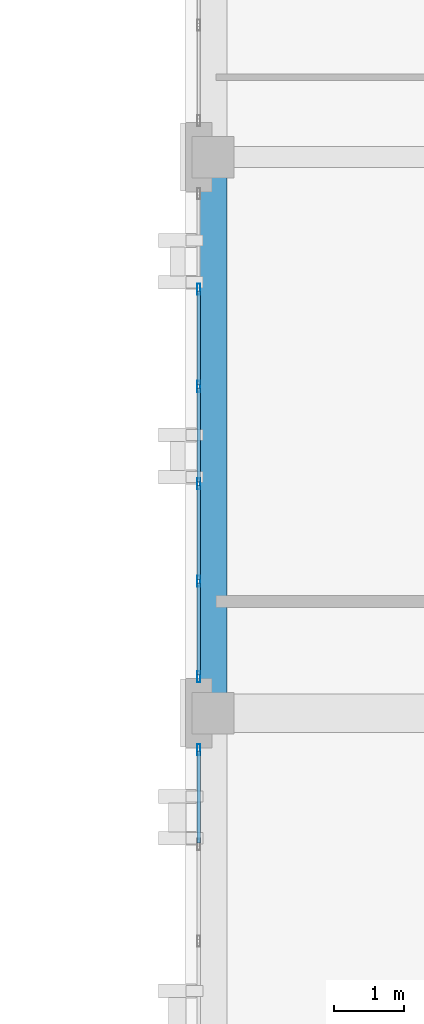
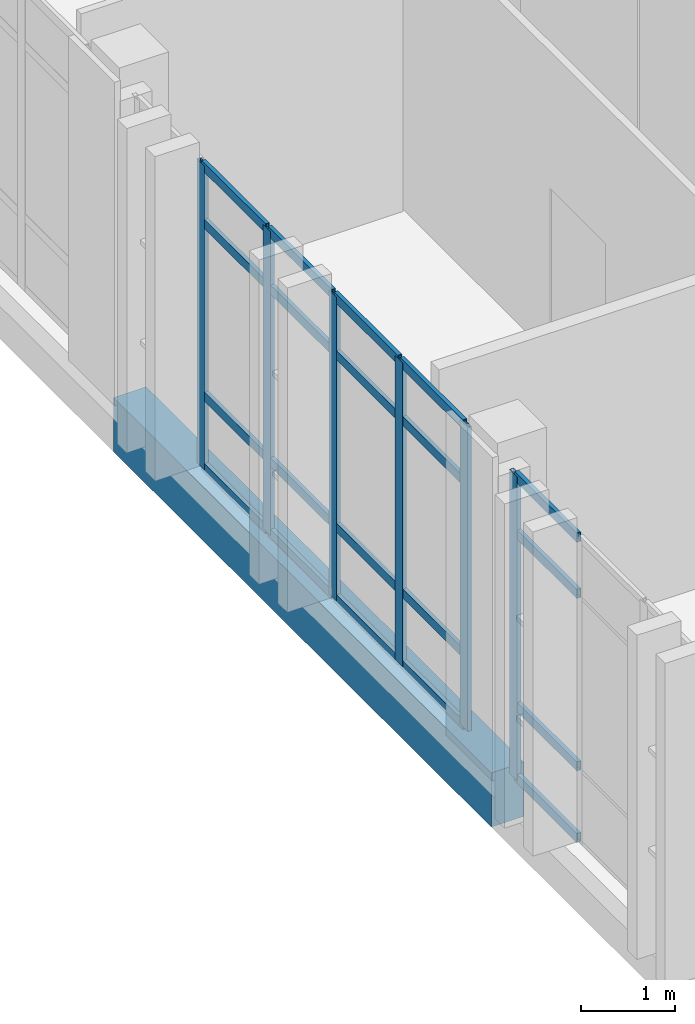
# One storey, part 19 of 90: 26 members, 1 beam, 2 elements without a shape of their own.
"""IFC4 building model written with IfcOpenShell, lengths in metres."""

from ifc_helpers import new_model, si_unit, direction, frame, origin, origin_2d, place, context, subcontext, project, spatial, rectangle, hollow_rectangle, extrude, material, layer, layer_set, material_profile, profile_set, type_object, element, aggregate, save


model = new_model("IFC4")

# Units and contexts
model_context = context("Model", 3, precision=1e-05, world=origin(), true_north=direction((0.0, 1.0)))
body_context = subcontext(model_context, "Body", "Model", "MODEL_VIEW")
ifc_project = project(units=[si_unit("LENGTHUNIT", "METRE"), si_unit("AREAUNIT", "SQUARE_METRE"), si_unit("VOLUMEUNIT", "CUBIC_METRE"), si_unit("PLANEANGLEUNIT", "RADIAN"), si_unit("MASSUNIT", "GRAM", prefix="KILO")], contexts=[model_context])

# Site, building, storey
site_placement = place(None, origin())
site = spatial("IfcSite", under=ifc_project, at=site_placement, CompositionType="ELEMENT")
building_placement = place(site_placement, origin())
building = spatial("IfcBuilding", under=site, at=building_placement, Name="Qalavern Law Courts", CompositionType="ELEMENT")
storey_placement = place(building_placement, frame((0.0, 0.0, 22.800048828125)))
storey = spatial("IfcBuildingStorey", under=building, at=storey_placement, Name="L05", CompositionType="ELEMENT", Elevation=22.800048828125)

# Curtain wall, members
ifc_material_1 = material(Name="Anodised aluminium and insulated glazing", Category="aluminium")
ifc_layer = layer(ifc_material_1, 0.159912109375)
ifc_layer_set = layer_set([ifc_layer], Name="Anodised aluminium and insulated glazing")
curtain_wall_type = type_object("IfcCurtainWallType", Name="ENV-CW-CHAMB", PredefinedType="USERDEFINED", material=ifc_layer_set)
curtain_wall_1_placement = place(storey_placement, origin())
curtain_wall_1 = element("IfcCurtainWall", 1, at=curtain_wall_1_placement, inside=storey, type_object=curtain_wall_type, Name="V4 unitised curtain wall L05 west 5", ObjectType="UNITISED CURTAIN WALL", PredefinedType="USERDEFINED")
ifc_material_2 = material(Name="Anodised aluminium", Category="aluminium")
ifc_material_profile_1 = material_profile(ifc_material_2, hollow_rectangle(XDim=0.048095703125, YDim=0.159912109375, WallThickness=0.00390625, at=origin_2d()), Name="ALU MULLION 48x160")
ifc_profile_set_1 = profile_set([ifc_material_profile_1], Name="Anodised aluminium")
member_type_1 = type_object("IfcMemberType", Name="ENV-CWM-48x160", PredefinedType="MULLION", material=ifc_profile_set_1)
member_1_placement = place(storey_placement, frame((84.392578125, 55.5, 0.0), z_axis=(0.0, 0.0, 1.0), x_axis=(1.0, 0.0, 0.0)))
member_1 = element("IfcMember", 2, at=member_1_placement, type_object=member_type_1, Name="CW-04 mullion 2", PredefinedType="MULLION", context=body_context, shape_type="SweptSolid", body=[
    extrude(hollow_rectangle(XDim=0.048095703125, YDim=0.159912109375, WallThickness=0.00390625, at=origin_2d()), origin(), (0.0, 0.0, 1.0), 3.929931640625),
])
member_2_placement = place(storey_placement, frame((84.392578125, 54.10009765625, 0.0), z_axis=(0.0, 0.0, 1.0), x_axis=(1.0, 0.0, 0.0)))
member_2 = element("IfcMember", 3, at=member_2_placement, type_object=member_type_1, Name="CW-04 mullion 3", PredefinedType="MULLION", context=body_context, shape_type="SweptSolid", body=[
    extrude(hollow_rectangle(XDim=0.048095703125, YDim=0.159912109375, WallThickness=0.00390625, at=origin_2d()), origin(), (0.0, 0.0, 1.0), 3.929931640625),
])
member_3_placement = place(storey_placement, frame((84.392578125, 52.699951171875, 0.0), z_axis=(0.0, 0.0, 1.0), x_axis=(1.0, 0.0, 0.0)))
member_3 = element("IfcMember", 4, at=member_3_placement, type_object=member_type_1, Name="CW-04 mullion 4", PredefinedType="MULLION", context=body_context, shape_type="SweptSolid", body=[
    extrude(hollow_rectangle(XDim=0.048095703125, YDim=0.159912109375, WallThickness=0.00390625, at=origin_2d()), origin(), (0.0, 0.0, 1.0), 3.929931640625),
])
member_4_placement = place(storey_placement, frame((84.392578125, 51.300048828125, 0.0), z_axis=(0.0, 0.0, 1.0), x_axis=(1.0, 0.0, 0.0)))
member_4 = element("IfcMember", 5, at=member_4_placement, type_object=member_type_1, Name="CW-04 mullion 5", PredefinedType="MULLION", context=body_context, shape_type="SweptSolid", body=[
    extrude(hollow_rectangle(XDim=0.048095703125, YDim=0.159912109375, WallThickness=0.00390625, at=origin_2d()), origin(), (0.0, 0.0, 1.0), 3.929931640625),
])
member_5_placement = place(storey_placement, frame((84.392578125, 49.924072265625, 0.0), z_axis=(0.0, 0.0, 1.0), x_axis=(1.0, 0.0, 0.0)))
member_5 = element("IfcMember", 6, at=member_5_placement, type_object=member_type_1, Name="CW-04 mullion 6", PredefinedType="MULLION", context=body_context, shape_type="SweptSolid", body=[
    extrude(hollow_rectangle(XDim=0.048095703125, YDim=0.159912109375, WallThickness=0.00390625, at=origin_2d()), origin(), (0.0, 0.0, 1.0), 3.929931640625),
])

# Curtain wall, member
curtain_wall_2_placement = place(storey_placement, origin())
curtain_wall_2 = element("IfcCurtainWall", 7, at=curtain_wall_2_placement, inside=storey, type_object=curtain_wall_type, Name="V4 unitised curtain wall L05 west 6", ObjectType="UNITISED CURTAIN WALL", PredefinedType="USERDEFINED")
member_6_placement = place(storey_placement, frame((84.392578125, 48.8759765625, 0.0), z_axis=(0.0, 0.0, 1.0), x_axis=(1.0, 0.0, 0.0)))
member_6 = element("IfcMember", 8, at=member_6_placement, type_object=member_type_1, Name="CW-04 mullion 1", PredefinedType="MULLION", context=body_context, shape_type="SweptSolid", body=[
    extrude(hollow_rectangle(XDim=0.048095703125, YDim=0.159912109375, WallThickness=0.00390625, at=origin_2d()), origin(), (0.0, 0.0, 1.0), 3.929931640625),
])

# Member
ifc_material_profile_2 = material_profile(ifc_material_2, hollow_rectangle(XDim=0.048095703125, YDim=0.1201171875, WallThickness=0.00390625, at=origin_2d()), Name="ALU TRANSOM 48x120")
ifc_profile_set_2 = profile_set([ifc_material_profile_2], Name="Anodised aluminium")
member_type_2 = type_object("IfcMemberType", Name="ENV-CWT-48x120", PredefinedType="USERDEFINED", material=ifc_profile_set_2)
member_7_placement = place(storey_placement, frame((84.392578125, 55.47607421875, 0.02392578125), z_axis=(0.0, -1.0, 0.0), x_axis=(1.0, 0.0, 0.0)))
member_7 = element("IfcMember", 9, at=member_7_placement, type_object=member_type_2, Name="CW-04 transom 2.1", ObjectType="TRANSOM", PredefinedType="USERDEFINED", context=body_context, shape_type="SweptSolid", body=[
    extrude(hollow_rectangle(XDim=0.048095703125, YDim=0.1201171875, WallThickness=0.00390625, at=origin_2d()), origin(), (0.0, 0.0, 1.0), 1.35205078125),
])

member_8_placement = place(storey_placement, frame((84.392578125, 55.47607421875, 0.949951171875), z_axis=(0.0, -1.0, 0.0), x_axis=(1.0, 0.0, 0.0)))
member_8 = element("IfcMember", 10, at=member_8_placement, type_object=member_type_2, Name="CW-04 transom 2.2", ObjectType="TRANSOM", PredefinedType="USERDEFINED", context=body_context, shape_type="SweptSolid", body=[
    extrude(hollow_rectangle(XDim=0.048095703125, YDim=0.1201171875, WallThickness=0.00390625, at=origin_2d()), origin(), (0.0, 0.0, 1.0), 1.35205078125),
])

member_9_placement = place(storey_placement, frame((84.392578125, 55.47607421875, 3.179931640625), z_axis=(0.0, -1.0, 0.0), x_axis=(1.0, 0.0, 0.0)))
member_9 = element("IfcMember", 11, at=member_9_placement, type_object=member_type_2, Name="CW-04 transom 2.3", ObjectType="TRANSOM", PredefinedType="USERDEFINED", context=body_context, shape_type="SweptSolid", body=[
    extrude(hollow_rectangle(XDim=0.048095703125, YDim=0.1201171875, WallThickness=0.00390625, at=origin_2d()), origin(), (0.0, 0.0, 1.0), 1.35205078125),
])

member_10_placement = place(storey_placement, frame((84.392578125, 55.47607421875, 3.906005859375), z_axis=(0.0, -1.0, 0.0), x_axis=(1.0, 0.0, 0.0)))
member_10 = element("IfcMember", 12, at=member_10_placement, type_object=member_type_2, Name="CW-04 transom 2.4", ObjectType="TRANSOM", PredefinedType="USERDEFINED", context=body_context, shape_type="SweptSolid", body=[
    extrude(hollow_rectangle(XDim=0.048095703125, YDim=0.1201171875, WallThickness=0.00390625, at=origin_2d()), origin(), (0.0, 0.0, 1.0), 1.35205078125),
])

member_11_placement = place(storey_placement, frame((84.392578125, 54.075927734375, 0.02392578125), z_axis=(0.0, -1.0, 0.0), x_axis=(1.0, 0.0, 0.0)))
member_11 = element("IfcMember", 13, at=member_11_placement, type_object=member_type_2, Name="CW-04 transom 3.1", ObjectType="TRANSOM", PredefinedType="USERDEFINED", context=body_context, shape_type="SweptSolid", body=[
    extrude(hollow_rectangle(XDim=0.048095703125, YDim=0.1201171875, WallThickness=0.00390625, at=origin_2d()), origin(), (0.0, 0.0, 1.0), 1.351806640625),
])

member_12_placement = place(storey_placement, frame((84.392578125, 54.075927734375, 0.949951171875), z_axis=(0.0, -1.0, 0.0), x_axis=(1.0, 0.0, 0.0)))
member_12 = element("IfcMember", 14, at=member_12_placement, type_object=member_type_2, Name="CW-04 transom 3.2", ObjectType="TRANSOM", PredefinedType="USERDEFINED", context=body_context, shape_type="SweptSolid", body=[
    extrude(hollow_rectangle(XDim=0.048095703125, YDim=0.1201171875, WallThickness=0.00390625, at=origin_2d()), origin(), (0.0, 0.0, 1.0), 1.351806640625),
])

member_13_placement = place(storey_placement, frame((84.392578125, 54.075927734375, 3.179931640625), z_axis=(0.0, -1.0, 0.0), x_axis=(1.0, 0.0, 0.0)))
member_13 = element("IfcMember", 15, at=member_13_placement, type_object=member_type_2, Name="CW-04 transom 3.3", ObjectType="TRANSOM", PredefinedType="USERDEFINED", context=body_context, shape_type="SweptSolid", body=[
    extrude(hollow_rectangle(XDim=0.048095703125, YDim=0.1201171875, WallThickness=0.00390625, at=origin_2d()), origin(), (0.0, 0.0, 1.0), 1.351806640625),
])

member_14_placement = place(storey_placement, frame((84.392578125, 54.075927734375, 3.906005859375), z_axis=(0.0, -1.0, 0.0), x_axis=(1.0, 0.0, 0.0)))
member_14 = element("IfcMember", 16, at=member_14_placement, type_object=member_type_2, Name="CW-04 transom 3.4", ObjectType="TRANSOM", PredefinedType="USERDEFINED", context=body_context, shape_type="SweptSolid", body=[
    extrude(hollow_rectangle(XDim=0.048095703125, YDim=0.1201171875, WallThickness=0.00390625, at=origin_2d()), origin(), (0.0, 0.0, 1.0), 1.351806640625),
])

member_15_placement = place(storey_placement, frame((84.392578125, 52.676025390625, 0.02392578125), z_axis=(0.0, -1.0, 0.0), x_axis=(1.0, 0.0, 0.0)))
member_15 = element("IfcMember", 17, at=member_15_placement, type_object=member_type_2, Name="CW-04 transom 4.1", ObjectType="TRANSOM", PredefinedType="USERDEFINED", context=body_context, shape_type="SweptSolid", body=[
    extrude(hollow_rectangle(XDim=0.048095703125, YDim=0.1201171875, WallThickness=0.00390625, at=origin_2d()), origin(), (0.0, 0.0, 1.0), 1.35205078125),
])

member_16_placement = place(storey_placement, frame((84.392578125, 52.676025390625, 0.949951171875), z_axis=(0.0, -1.0, 0.0), x_axis=(1.0, 0.0, 0.0)))
member_16 = element("IfcMember", 18, at=member_16_placement, type_object=member_type_2, Name="CW-04 transom 4.2", ObjectType="TRANSOM", PredefinedType="USERDEFINED", context=body_context, shape_type="SweptSolid", body=[
    extrude(hollow_rectangle(XDim=0.048095703125, YDim=0.1201171875, WallThickness=0.00390625, at=origin_2d()), origin(), (0.0, 0.0, 1.0), 1.35205078125),
])

member_17_placement = place(storey_placement, frame((84.392578125, 52.676025390625, 3.179931640625), z_axis=(0.0, -1.0, 0.0), x_axis=(1.0, 0.0, 0.0)))
member_17 = element("IfcMember", 19, at=member_17_placement, type_object=member_type_2, Name="CW-04 transom 4.3", ObjectType="TRANSOM", PredefinedType="USERDEFINED", context=body_context, shape_type="SweptSolid", body=[
    extrude(hollow_rectangle(XDim=0.048095703125, YDim=0.1201171875, WallThickness=0.00390625, at=origin_2d()), origin(), (0.0, 0.0, 1.0), 1.35205078125),
])

member_18_placement = place(storey_placement, frame((84.392578125, 52.676025390625, 3.906005859375), z_axis=(0.0, -1.0, 0.0), x_axis=(1.0, 0.0, 0.0)))
member_18 = element("IfcMember", 20, at=member_18_placement, type_object=member_type_2, Name="CW-04 transom 4.4", ObjectType="TRANSOM", PredefinedType="USERDEFINED", context=body_context, shape_type="SweptSolid", body=[
    extrude(hollow_rectangle(XDim=0.048095703125, YDim=0.1201171875, WallThickness=0.00390625, at=origin_2d()), origin(), (0.0, 0.0, 1.0), 1.35205078125),
])

member_19_placement = place(storey_placement, frame((84.392578125, 51.27587890625, 0.02392578125), z_axis=(0.0, -1.0, 0.0), x_axis=(1.0, 0.0, 0.0)))
member_19 = element("IfcMember", 21, at=member_19_placement, type_object=member_type_2, Name="CW-04 transom 5.1", ObjectType="TRANSOM", PredefinedType="USERDEFINED", context=body_context, shape_type="SweptSolid", body=[
    extrude(hollow_rectangle(XDim=0.048095703125, YDim=0.1201171875, WallThickness=0.00390625, at=origin_2d()), origin(), (0.0, 0.0, 1.0), 1.327880859375),
])

member_20_placement = place(storey_placement, frame((84.392578125, 51.27587890625, 0.949951171875), z_axis=(0.0, -1.0, 0.0), x_axis=(1.0, 0.0, 0.0)))
member_20 = element("IfcMember", 22, at=member_20_placement, type_object=member_type_2, Name="CW-04 transom 5.2", ObjectType="TRANSOM", PredefinedType="USERDEFINED", context=body_context, shape_type="SweptSolid", body=[
    extrude(hollow_rectangle(XDim=0.048095703125, YDim=0.1201171875, WallThickness=0.00390625, at=origin_2d()), origin(), (0.0, 0.0, 1.0), 1.327880859375),
])

member_21_placement = place(storey_placement, frame((84.392578125, 51.27587890625, 3.179931640625), z_axis=(0.0, -1.0, 0.0), x_axis=(1.0, 0.0, 0.0)))
member_21 = element("IfcMember", 23, at=member_21_placement, type_object=member_type_2, Name="CW-04 transom 5.3", ObjectType="TRANSOM", PredefinedType="USERDEFINED", context=body_context, shape_type="SweptSolid", body=[
    extrude(hollow_rectangle(XDim=0.048095703125, YDim=0.1201171875, WallThickness=0.00390625, at=origin_2d()), origin(), (0.0, 0.0, 1.0), 1.327880859375),
])

member_22_placement = place(storey_placement, frame((84.392578125, 51.27587890625, 3.906005859375), z_axis=(0.0, -1.0, 0.0), x_axis=(1.0, 0.0, 0.0)))
member_22 = element("IfcMember", 24, at=member_22_placement, type_object=member_type_2, Name="CW-04 transom 5.4", ObjectType="TRANSOM", PredefinedType="USERDEFINED", context=body_context, shape_type="SweptSolid", body=[
    extrude(hollow_rectangle(XDim=0.048095703125, YDim=0.1201171875, WallThickness=0.00390625, at=origin_2d()), origin(), (0.0, 0.0, 1.0), 1.327880859375),
])

aggregate(curtain_wall_1, [member_1, member_2, member_3, member_4, member_5, member_7, member_8, member_9, member_10, member_11, member_12, member_13, member_14, member_15, member_16, member_17, member_18, member_19, member_20, member_21, member_22])

member_23_placement = place(storey_placement, frame((84.392578125, 48.85205078125, 0.02392578125), z_axis=(0.0, -1.0, 0.0), x_axis=(1.0, 0.0, 0.0)))
member_23 = element("IfcMember", 25, at=member_23_placement, type_object=member_type_2, Name="CW-04 transom 1.1", ObjectType="TRANSOM", PredefinedType="USERDEFINED", context=body_context, shape_type="SweptSolid", body=[
    extrude(hollow_rectangle(XDim=0.048095703125, YDim=0.1201171875, WallThickness=0.00390625, at=origin_2d()), origin(), (0.0, 0.0, 1.0), 1.318115234375),
])

member_24_placement = place(storey_placement, frame((84.392578125, 48.85205078125, 0.949951171875), z_axis=(0.0, -1.0, 0.0), x_axis=(1.0, 0.0, 0.0)))
member_24 = element("IfcMember", 26, at=member_24_placement, type_object=member_type_2, Name="CW-04 transom 1.2", ObjectType="TRANSOM", PredefinedType="USERDEFINED", context=body_context, shape_type="SweptSolid", body=[
    extrude(hollow_rectangle(XDim=0.048095703125, YDim=0.1201171875, WallThickness=0.00390625, at=origin_2d()), origin(), (0.0, 0.0, 1.0), 1.318115234375),
])

member_25_placement = place(storey_placement, frame((84.392578125, 48.85205078125, 3.179931640625), z_axis=(0.0, -1.0, 0.0), x_axis=(1.0, 0.0, 0.0)))
member_25 = element("IfcMember", 27, at=member_25_placement, type_object=member_type_2, Name="CW-04 transom 1.3", ObjectType="TRANSOM", PredefinedType="USERDEFINED", context=body_context, shape_type="SweptSolid", body=[
    extrude(hollow_rectangle(XDim=0.048095703125, YDim=0.1201171875, WallThickness=0.00390625, at=origin_2d()), origin(), (0.0, 0.0, 1.0), 1.318115234375),
])

member_26_placement = place(storey_placement, frame((84.392578125, 48.85205078125, 3.906005859375), z_axis=(0.0, -1.0, 0.0), x_axis=(1.0, 0.0, 0.0)))
member_26 = element("IfcMember", 28, at=member_26_placement, type_object=member_type_2, Name="CW-04 transom 1.4", ObjectType="TRANSOM", PredefinedType="USERDEFINED", context=body_context, shape_type="SweptSolid", body=[
    extrude(hollow_rectangle(XDim=0.048095703125, YDim=0.1201171875, WallThickness=0.00390625, at=origin_2d()), origin(), (0.0, 0.0, 1.0), 1.318115234375),
])

aggregate(curtain_wall_2, [member_6, member_23, member_24, member_25, member_26])

# Beam
ifc_material_3 = material(Name="Concrete C40/50", Category="concrete")
ifc_material_profile_3 = material_profile(ifc_material_3, rectangle(XDim=0.39990234375, YDim=0.699951171875, at=origin_2d()), Name="RC 400x700")
ifc_profile_set_3 = profile_set([ifc_material_profile_3], Name="Concrete C40/50")
beam_type = type_object("IfcBeamType", Name="STR-SP-RC400x700", PredefinedType="SPANDREL", material=ifc_profile_set_3)
beam_placement = place(storey_placement, frame((84.60009765625, 49.39990234375, -0.625), z_axis=(0.0, 1.0, 0.0), x_axis=(-1.0, 0.0, 0.0)))
element("IfcBeam", 29, at=beam_placement, inside=storey, type_object=beam_type, Name="V4 Y-beam 1-2 L05", PredefinedType="SPANDREL", context=body_context, shape_type="SweptSolid", body=[
    extrude(rectangle(XDim=0.39990234375, YDim=0.699951171875, at=origin_2d()), origin(), (0.0, 0.0, 1.0), 8.0),
])

save(model, "model.ifc")
